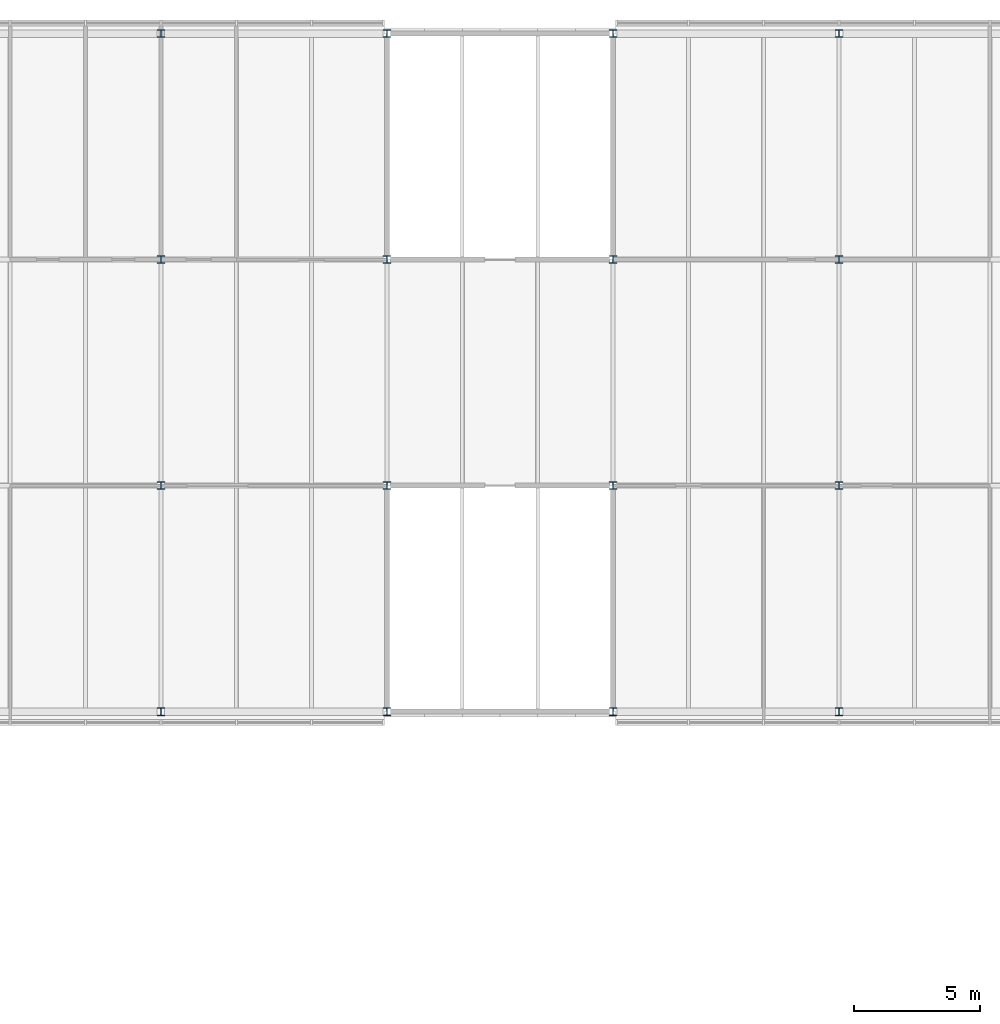
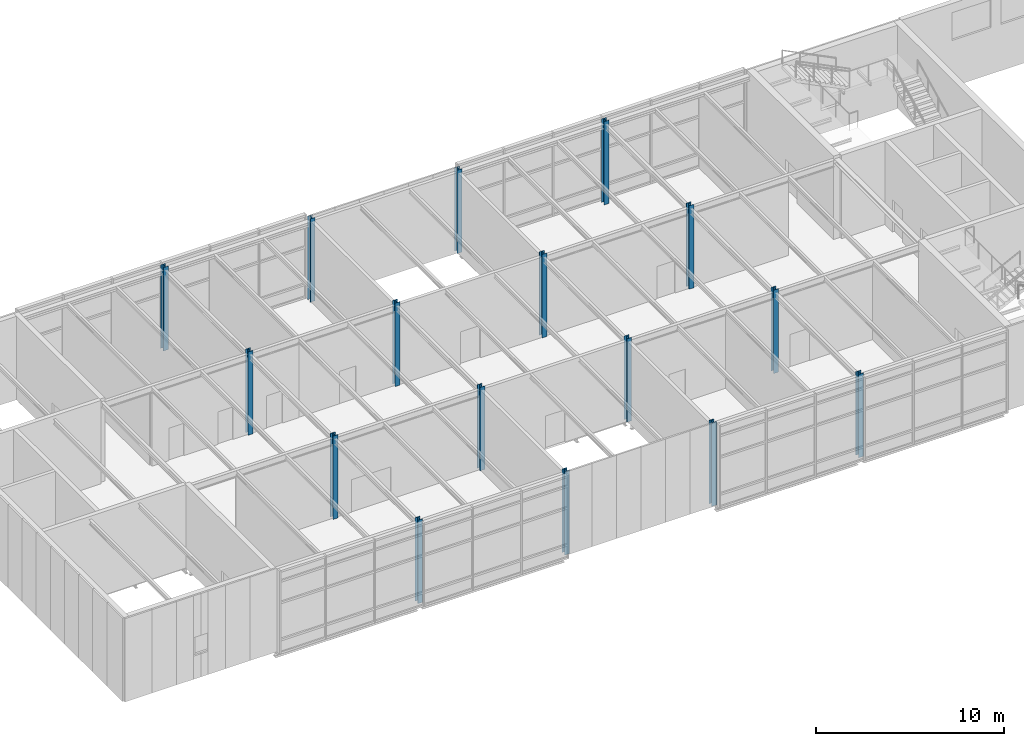
# One storey, part 3 of 46: 16 columns.
"""IFC4 building model written with IfcOpenShell, lengths in metres."""

from ifc_helpers import new_model, si_unit, direction, frame, origin, origin_2d, place, context, subcontext, project, spatial, i_section, extrude, material, material_profile, profile_set, type_object, element, save


model = new_model("IFC4")

# Units and contexts
model_context = context("Model", 3, precision=1e-05, world=origin(), true_north=direction((0.0, 1.0)))
body_context = subcontext(model_context, "Body", "Model", "MODEL_VIEW")
ifc_project = project(units=[si_unit("LENGTHUNIT", "METRE"), si_unit("AREAUNIT", "SQUARE_METRE"), si_unit("VOLUMEUNIT", "CUBIC_METRE"), si_unit("PLANEANGLEUNIT", "RADIAN"), si_unit("MASSUNIT", "GRAM", prefix="KILO")], contexts=[model_context])

# Site, building, storey
site_placement = place(None, origin())
site = spatial("IfcSite", under=ifc_project, at=site_placement, CompositionType="ELEMENT")
building_placement = place(site_placement, origin())
building = spatial("IfcBuilding", under=site, at=building_placement, Name="Azimuth Sports and Learning Centre", CompositionType="ELEMENT")
storey_placement = place(building_placement, frame((0.0, 0.0, 21.60009765625)))
storey = spatial("IfcBuildingStorey", under=building, at=storey_placement, Name="L04", CompositionType="ELEMENT", Elevation=21.60009765625)

# Columns
ifc_material = material(Name="Steel S355", Category="steel")
ifc_material_profile = material_profile(ifc_material, i_section(OverallWidth=0.300048828125, OverallDepth=0.300048828125, WebThickness=0.010986328125, FlangeThickness=0.01904296875, FilletRadius=0.027099609375, at=origin_2d()), Name="HEB 300")
ifc_profile_set = profile_set([ifc_material_profile], Name="Steel S355")
column_type = type_object("IfcColumnType", Name="Column HEB 300", PredefinedType="COLUMN", material=ifc_profile_set)
for number, where, z_axis, x_axis, name in (
    (1, (18.0, 90.0, 0.0), (0.0, 0.0, 1.0), (1.0, 0.0, 0.0), "Column 3L L04"),
    (2, (27.0, 90.0, 0.0), (0.0, 0.0, 1.0), (1.0, 0.0, 0.0), "Column 4L L04"),
    (3, (36.0, 90.0, 0.0), (0.0, 0.0, 1.0), (1.0, 0.0, 0.0), "Column 5L L04"),
    (4, (45.0, 90.0, 0.0), (0.0, 0.0, 1.0), (1.0, 0.0, 0.0), "Column 6L L04"),
    (5, (18.0, 99.0, 0.0), (0.0, 0.0, 1.0), (1.0, 0.0, 0.0), "Column 3M L04"),
    (6, (27.0, 99.0, 0.0), (0.0, 0.0, 1.0), (1.0, 0.0, 0.0), "Column 4M L04"),
    (7, (36.0, 99.0, 0.0), (0.0, 0.0, 1.0), (1.0, 0.0, 0.0), "Column 5M L04"),
    (8, (45.0, 99.0, 0.0), (0.0, 0.0, 1.0), (1.0, 0.0, 0.0), "Column 6M L04"),
    (9, (18.0, 108.0, 0.0), (0.0, 0.0, 1.0), (1.0, 0.0, 0.0), "Column 3N L04"),
    (10, (27.0, 108.0, 0.0), (0.0, 0.0, 1.0), (1.0, 0.0, 0.0), "Column 4N L04"),
    (11, (36.0, 108.0, 0.0), (0.0, 0.0, 1.0), (1.0, 0.0, 0.0), "Column 5N L04"),
    (12, (45.0, 108.0, 0.0), (0.0, 0.0, 1.0), (1.0, 0.0, 0.0), "Column 6N L04"),
    (13, (18.0, 117.0, 0.0), (0.0, 0.0, 1.0), (1.0, 0.0, 0.0), "Column 3P L04"),
    (14, (27.0, 117.0, 0.0), (0.0, 0.0, 1.0), (1.0, 0.0, 0.0), "Column 4P L04"),
    (15, (36.0, 117.0, 0.0), (0.0, 0.0, 1.0), (1.0, 0.0, 0.0), "Column 5P L04"),
    (16, (45.0, 117.0, 0.0), (0.0, 0.0, 1.0), (1.0, 0.0, 0.0), "Column 6P L04"),
):
    element("IfcColumn", number, at=place(storey_placement, frame(where, z_axis=z_axis, x_axis=x_axis)), inside=storey, type_object=column_type, Name=name, PredefinedType="COLUMN", context=body_context, shape_type="SweptSolid", body=[
        extrude(i_section(OverallWidth=0.300048828125, OverallDepth=0.300048828125, WebThickness=0.010986328125, FlangeThickness=0.01904296875, FilletRadius=0.027099609375, at=origin_2d()), origin(), (0.0, 0.0, 1.0), 5.39990234375),
    ])

save(model, "model.ifc")
